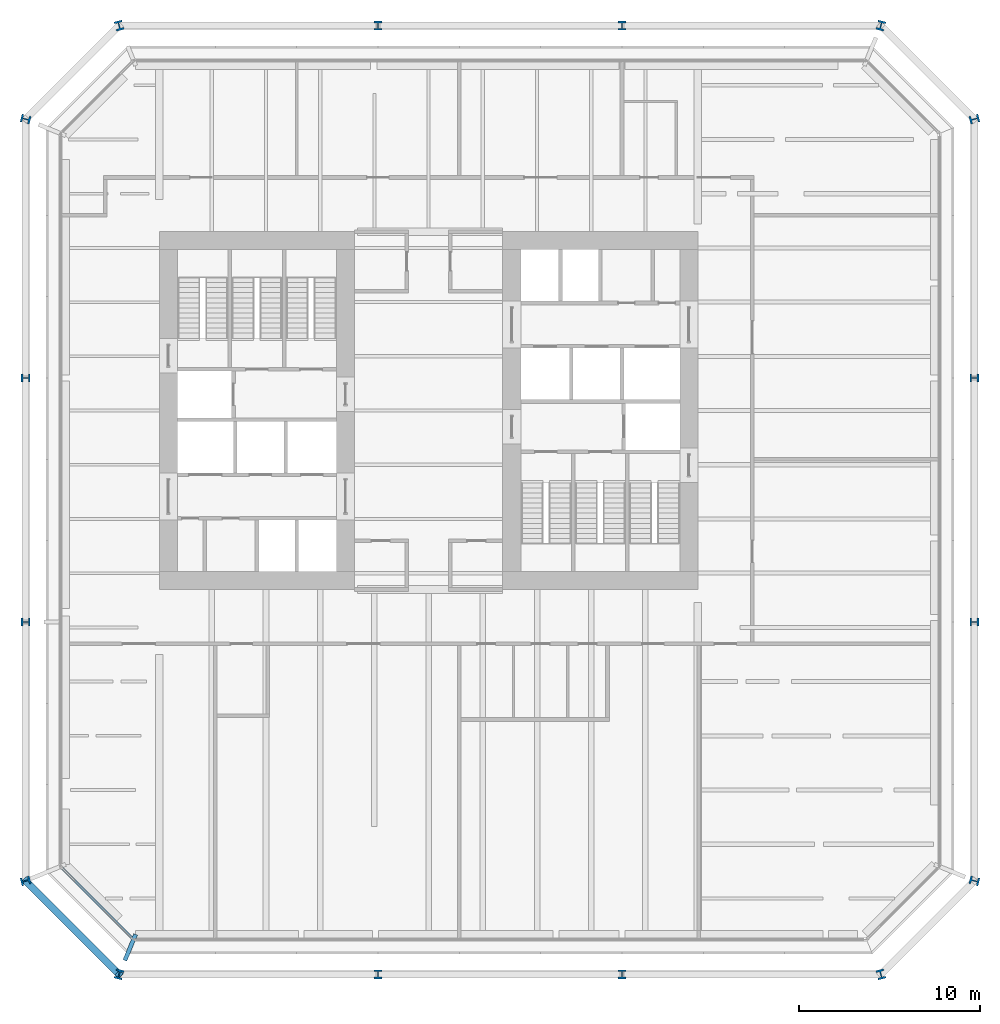
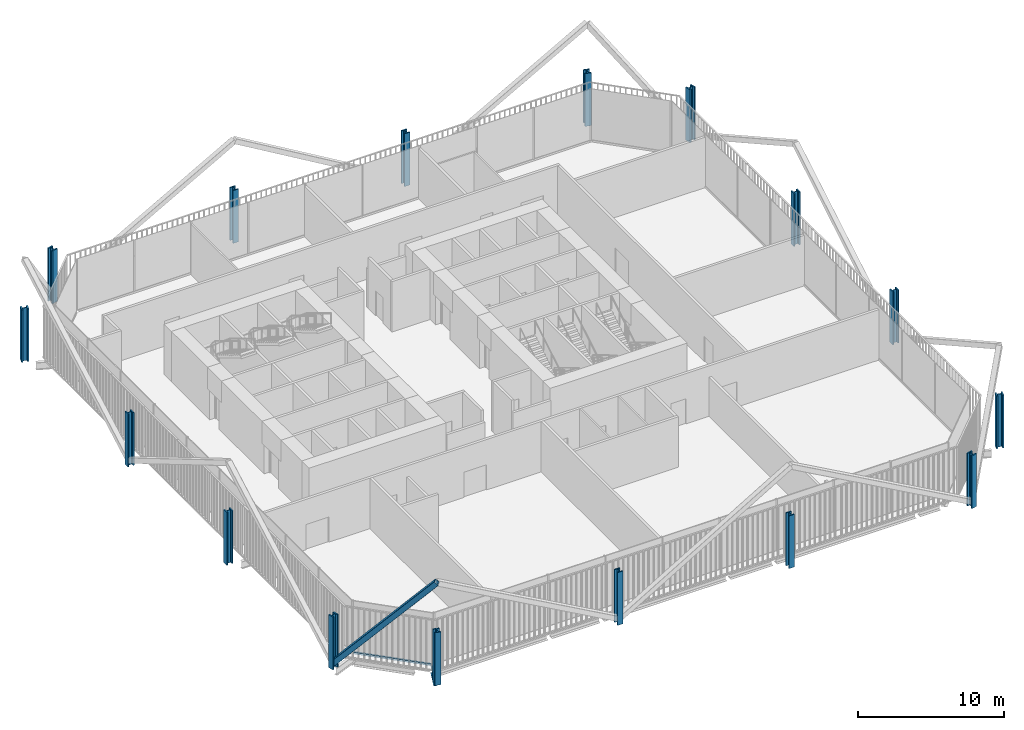
# One storey, part 1 of 21: 16 columns, 2 members, 1 beam, 1 element without a shape of its own.
"""IFC4 building model written with IfcOpenShell, lengths in metres."""

from ifc_helpers import new_model, si_unit, direction, frame, origin, origin_2d, place, context, subcontext, project, spatial, rectangle, hollow_rectangle, i_section, extrude, material, layer, layer_set, material_profile, profile_set, type_object, element, aggregate, save


model = new_model("IFC4")

# Units and contexts
model_context = context("Model", 3, precision=1e-05, world=origin(), true_north=direction((0.0, 1.0)))
body_context = subcontext(model_context, "Body", "Model", "MODEL_VIEW")
ifc_project = project(units=[si_unit("LENGTHUNIT", "METRE"), si_unit("AREAUNIT", "SQUARE_METRE"), si_unit("VOLUMEUNIT", "CUBIC_METRE"), si_unit("PLANEANGLEUNIT", "RADIAN"), si_unit("MASSUNIT", "GRAM", prefix="KILO")], contexts=[model_context])

# Site, building, storey
site_placement = place(None, origin())
site = spatial("IfcSite", under=ifc_project, at=site_placement, CompositionType="ELEMENT")
building_placement = place(site_placement, origin())
building = spatial("IfcBuilding", under=site, at=building_placement, Name="Millrace Tower", CompositionType="ELEMENT")
storey_placement = place(building_placement, frame((0.0, 0.0, 73.199951171875)))
storey = spatial("IfcBuildingStorey", under=building, at=storey_placement, Name="L16", CompositionType="ELEMENT", Elevation=73.199951171875)

# Columns
ifc_material_1 = material(Name="Steel ASTM A913 Grade 65", Category="steel")
ifc_material_profile_1 = material_profile(ifc_material_1, i_section(OverallWidth=0.431884765625, OverallDepth=0.497802734375, WebThickness=0.0556640625, FlangeThickness=0.0888671875, FilletRadius=0.01513671875, at=origin_2d()))
ifc_profile_set_1 = profile_set([ifc_material_profile_1], Name="Steel ASTM A913 Grade 65")
column_type_1 = type_object("IfcColumnType", Name="Exoskeleton column W14x500", PredefinedType="COLUMN", material=ifc_profile_set_1)
for number, where, z_axis, x_axis, name in (
    (1, (-2.800048828125, -31.199951171875, 0.0), (0.0, 0.0, 1.0), (1.0, 0.0, 0.0), "COL-B-L16-X03"),
    (2, (10.699951171875, -31.199951171875, 0.0), (0.0, 0.0, 1.0), (1.0, 0.0, 0.0), "COL-B-L16-X04"),
    (3, (30.199951171875, -11.699951171875, 0.0), (0.0, 0.0, 1.0), (0.0, 1.0, 0.0), "COL-B-L16-X07"),
    (4, (30.199951171875, 1.800048828125, 0.0), (0.0, 0.0, 1.0), (0.0, 1.0, 0.0), "COL-B-L16-X08"),
    (5, (10.699951171875, 21.300048828125, 0.0), (0.0, 0.0, 1.0), (-1.0, 0.0, 0.0), "COL-B-L16-X11"),
    (6, (-2.800048828125, 21.300048828125, 0.0), (0.0, 0.0, 1.0), (-1.0, 0.0, 0.0), "COL-B-L16-X12"),
    (7, (-22.300048828125, 1.800048828125, 0.0), (0.0, 0.0, 1.0), (0.0, -1.0, 0.0), "COL-B-L16-X15"),
    (8, (-22.300048828125, -11.699951171875, 0.0), (0.0, 0.0, 1.0), (0.0, -1.0, 0.0), "COL-B-L16-X16"),
):
    element("IfcColumn", number, at=place(storey_placement, frame(where, z_axis=z_axis, x_axis=x_axis)), inside=storey, type_object=column_type_1, Name=name, PredefinedType="COLUMN", context=body_context, shape_type="SweptSolid", body=[
        extrude(i_section(OverallWidth=0.431884765625, OverallDepth=0.497802734375, WebThickness=0.0556640625, FlangeThickness=0.0888671875, FilletRadius=0.01513671875, at=origin_2d()), origin(), (0.0, 0.0, 1.0), 4.400146484375),
    ])
ifc_material_2 = material(Name="Steel ASTM A913 Grade 65", Category="steel")
ifc_material_profile_2 = material_profile(ifc_material_2, i_section(OverallWidth=0.44189453125, OverallDepth=0.53076171875, WebThickness=0.06591796875, FlangeThickness=0.105712890625, FilletRadius=0.01513671875, at=origin_2d()))
ifc_profile_set_2 = profile_set([ifc_material_profile_2], Name="Steel ASTM A913 Grade 65")
column_type_2 = type_object("IfcColumnType", Name="Exoskeleton column W14x605", PredefinedType="COLUMN", material=ifc_profile_set_2)
for number, where, z_axis, x_axis, name in (
    (9, (-22.300048828125, -26.0283203125, 0.0), (0.0, 0.0, 1.0), (0.256346878353, -0.966584852953, 0.0), "COL-B-L16-X01"),
    (10, (-17.12841796875, -31.199951171875, 0.0), (0.0, 0.0, 1.0), (0.966584852953, -0.256346878353, 0.0), "COL-B-L16-X02"),
    (11, (25.0283203125, -31.199951171875, 0.0), (0.0, 0.0, 1.0), (0.966584852953, 0.256346878353, 0.0), "COL-B-L16-X05"),
    (12, (30.199951171875, -26.0283203125, 0.0), (0.0, 0.0, 1.0), (0.256346878353, 0.966584852953, 0.0), "COL-B-L16-X06"),
    (13, (30.199951171875, 16.12841796875, 0.0), (0.0, 0.0, 1.0), (-0.256346878353, 0.966584852953, 0.0), "COL-B-L16-X09"),
    (14, (25.0283203125, 21.300048828125, 0.0), (0.0, 0.0, 1.0), (-0.966584852953, 0.256346878353, 0.0), "COL-B-L16-X10"),
    (15, (-17.12841796875, 21.300048828125, 0.0), (0.0, 0.0, 1.0), (-0.966584852953, -0.256346878353, 0.0), "COL-B-L16-X13"),
    (16, (-22.300048828125, 16.12841796875, 0.0), (0.0, 0.0, 1.0), (-0.256346878353, -0.966584852953, 0.0), "COL-B-L16-X14"),
):
    element("IfcColumn", number, at=place(storey_placement, frame(where, z_axis=z_axis, x_axis=x_axis)), inside=storey, type_object=column_type_2, Name=name, PredefinedType="COLUMN", context=body_context, shape_type="SweptSolid", body=[
        extrude(i_section(OverallWidth=0.44189453125, OverallDepth=0.53076171875, WebThickness=0.06591796875, FlangeThickness=0.105712890625, FilletRadius=0.01513671875, at=origin_2d()), origin(), (0.0, 0.0, 1.0), 4.400146484375),
    ])

# Curtain wall, member
ifc_material_3 = material(Name="Aluminium and glass", Category="aluminium")
ifc_layer = layer(ifc_material_3, 0.14990234375)
ifc_layer_set = layer_set([ifc_layer], Name="Aluminium and glass")
curtain_wall_type = type_object("IfcCurtainWallType", Name="CW-3 telecom floor curtain wall", PredefinedType="NOTDEFINED", material=ifc_layer_set)
curtain_wall_placement = place(storey_placement, origin())
curtain_wall = element("IfcCurtainWall", 17, at=curtain_wall_placement, inside=storey, type_object=curtain_wall_type, Name="Curtain wall B-F01 L16", PredefinedType="NOTDEFINED")
ifc_material_4 = material(Name="Aluminium", Category="aluminium")
ifc_material_profile_3 = material_profile(ifc_material_4, rectangle(XDim=0.14990234375, YDim=0.14990234375, at=origin_2d()))
ifc_profile_set_3 = profile_set([ifc_material_profile_3], Name="Aluminium")
member_type_1 = type_object("IfcMemberType", Name="CW-3 telecom floor curtain wall transom", PredefinedType="USERDEFINED", material=ifc_profile_set_3)
member_1_placement = place(storey_placement, frame((-20.2822265625, -25.32373046875, 0.074951171875), z_axis=(0.707084410407, -0.707129151258, 0.0), x_axis=(0.707129151258, 0.707084410407, 0.0)))
member_1 = element("IfcMember", 18, at=member_1_placement, type_object=member_type_1, Name="CW3 transom B-F01.1", ObjectType="TRANSOM", PredefinedType="USERDEFINED", context=body_context, shape_type="SweptSolid", body=[
    extrude(rectangle(XDim=0.14990234375, YDim=0.14990234375, at=origin_2d()), origin(), (0.0, 0.0, 1.0), 5.456787109375),
])
aggregate(curtain_wall, [member_1])

# Member
ifc_material_5 = material(Name="Steel ASTM A500 Grade C", Category="steel")
ifc_material_profile_4 = material_profile(ifc_material_5, hollow_rectangle(XDim=0.406494140625, YDim=0.406494140625, WallThickness=0.015869140625, InnerFilletRadius=0.008056640625, OuterFilletRadius=0.02392578125, at=origin_2d()))
ifc_profile_set_4 = profile_set([ifc_material_profile_4], Name="Steel ASTM A500 Grade C")
member_type_2 = type_object("IfcMemberType", Name="Exoskeleton brace HSS16x16x5/8", PredefinedType="BRACE", material=ifc_profile_set_4)
member_2_placement = place(storey_placement, frame((-22.300048828125, -26.0283203125, 0.400146484375), z_axis=(0.477116280189, -0.477116280189, 0.738051563482), x_axis=(0.707106781187, 0.707106781187, 0.0)))
element("IfcMember", 19, at=member_2_placement, inside=storey, type_object=member_type_2, Name="BRC-B-L16-01", PredefinedType="BRACE", context=body_context, shape_type="SweptSolid", body=[
    extrude(hollow_rectangle(XDim=0.406494140625, YDim=0.406494140625, WallThickness=0.015869140625, InnerFilletRadius=0.008056640625, OuterFilletRadius=0.02392578125, at=origin_2d()), origin(), (0.0, 0.0, 1.0), 10.83935546875),
])

# Beam
ifc_material_6 = material(Name="Steel ASTM A992 Grade 50", Category="steel")
ifc_material_profile_5 = material_profile(ifc_material_6, i_section(OverallWidth=0.23046875, OverallDepth=0.6171875, WebThickness=0.01318359375, FlangeThickness=0.022216796875, FilletRadius=0.012939453125, at=origin_2d()))
ifc_profile_set_5 = profile_set([ifc_material_profile_5], Name="Steel ASTM A992 Grade 50")
beam_type = type_object("IfcBeamType", Name="Link beam W24x94", PredefinedType="BEAM", material=ifc_profile_set_5)
beam_placement = place(storey_placement, frame((-16.213134765625, -28.990478515625, -0.508544921875), z_axis=(-0.382721202621, -0.923863886655, 0.0), x_axis=(0.923863886655, -0.382721202621, 0.0)))
element("IfcBeam", 20, at=beam_placement, inside=storey, type_object=beam_type, Name="LNK-B-L16-S1-16", PredefinedType="BEAM", context=body_context, shape_type="SweptSolid", body=[
    extrude(i_section(OverallWidth=0.23046875, OverallDepth=0.6171875, WebThickness=0.01318359375, FlangeThickness=0.022216796875, FilletRadius=0.012939453125, at=origin_2d()), origin(), (0.0, 0.0, 1.0), 1.556396484375),
])

save(model, "model.ifc")
